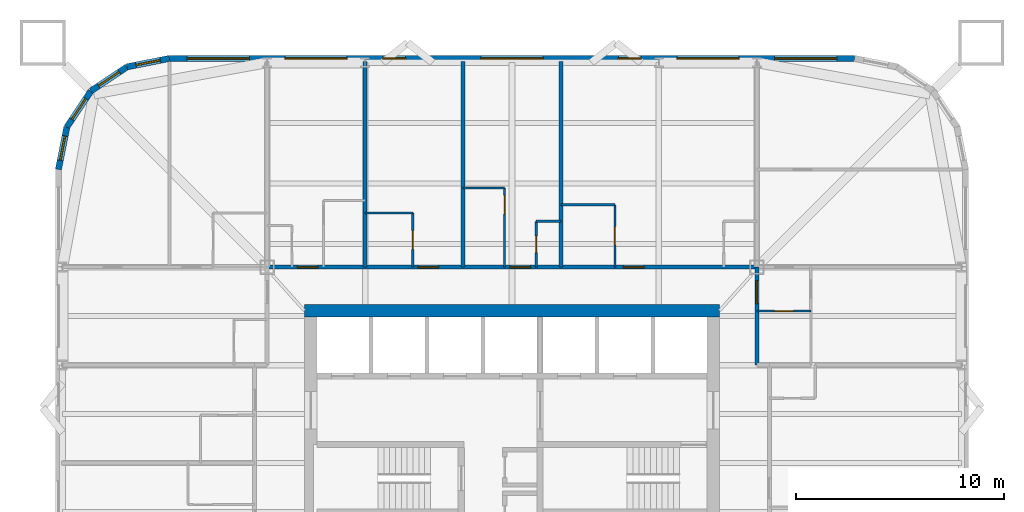
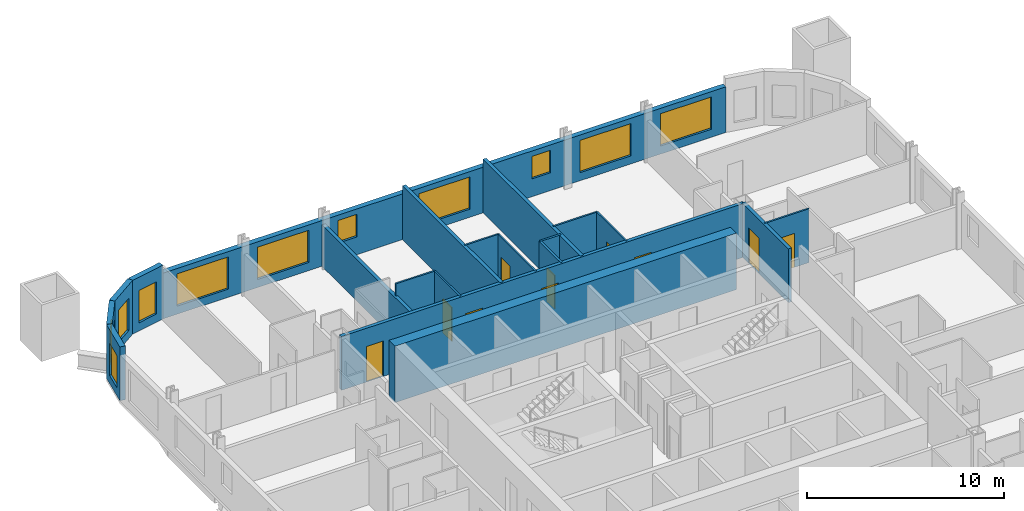
# One storey, part 7 of 9: 20 walls, 11 windows, 10 doors, 21 openings.
"""IFC4 building model written with IfcOpenShell, lengths in metres."""

from ifc_helpers import new_model, si_unit, direction, frame, frame_2d, origin, place, context, subcontext, project, spatial, rectangle, extrude, material, layer, layer_set, type_object, element, fill, save


model = new_model("IFC4")

# Units and contexts
model_context = context("Model", 3, precision=1e-05, world=origin(), true_north=direction((0.0, 1.0)))
body_context = subcontext(model_context, "Body", "Model", "MODEL_VIEW")
ifc_project = project(units=[si_unit("LENGTHUNIT", "METRE"), si_unit("AREAUNIT", "SQUARE_METRE"), si_unit("VOLUMEUNIT", "CUBIC_METRE"), si_unit("PLANEANGLEUNIT", "RADIAN"), si_unit("MASSUNIT", "GRAM", prefix="KILO")], contexts=[model_context])

# Site, building, storey
site_placement = place(None, origin())
site = spatial("IfcSite", under=ifc_project, at=site_placement, CompositionType="ELEMENT")
building_placement = place(site_placement, origin())
building = spatial("IfcBuilding", under=site, at=building_placement, Name="Turquesa Mirador Hotel Tower", CompositionType="ELEMENT")
storey_placement = place(building_placement, frame((0.0, 0.0, 49.5)))
storey = spatial("IfcBuildingStorey", under=building, at=storey_placement, Name="L12", CompositionType="ELEMENT", Elevation=49.5)

# Walls
ifc_material_1 = material(Name="Gypsum board on steel studs", Category="steel")
ifc_layer_1 = layer(ifc_material_1, 0.10009765625)
ifc_layer_set_1 = layer_set([ifc_layer_1], Name="BATHROOM WALL 100")
wall_type_1 = type_object("IfcWallType", Name="BATHROOM WALL 100", PredefinedType="PARTITIONING", material=ifc_layer_set_1)
wall_1_placement = place(storey_placement, frame((47.919921875, 59.39990234375, 0.0), z_axis=(0.0, 0.0, 1.0), x_axis=(1.0, 0.0, 0.0)))
element("IfcWall", 1, at=wall_1_placement, inside=storey, type_object=wall_type_1, Name="Partition L12 033", PredefinedType="PARTITIONING", context=body_context, shape_type="SweptSolid", body=[
    extrude(rectangle(XDim=2.300048828125, YDim=0.10009765625, at=frame_2d((1.14990234375, 0.0))), origin(), (0.0, 0.0, 1.0), 3.330078125),
])
wall_2_placement = place(storey_placement, frame((57.360107421875, 59.800048828125, 0.0), z_axis=(0.0, 0.0, 1.0), x_axis=(1.0, 0.0, 0.0)))
element("IfcWall", 2, at=wall_2_placement, inside=storey, type_object=wall_type_1, Name="Partition L12 034", PredefinedType="PARTITIONING", context=body_context, shape_type="SweptSolid", body=[
    extrude(rectangle(XDim=2.599853515625, YDim=0.10009765625, at=frame_2d((1.2998046875, 0.0))), origin(), (0.0, 0.0, 1.0), 3.330078125),
])
wall_3_placement = place(storey_placement, frame((52.639892578125, 60.60009765625, 0.0), z_axis=(0.0, 0.0, 1.0), x_axis=(1.0, 0.0, 0.0)))
element("IfcWall", 3, at=wall_3_placement, inside=storey, type_object=wall_type_1, Name="Partition L12 036", PredefinedType="PARTITIONING", context=body_context, shape_type="SweptSolid", body=[
    extrude(rectangle(XDim=2.0, YDim=0.10009765625, at=frame_2d((1.0, 0.0))), origin(), (0.0, 0.0, 1.0), 3.330078125),
])

# Wall, opening, door
wall_4_placement = place(storey_placement, frame((66.800048828125, 54.679931640625, 0.0), z_axis=(0.0, 0.0, 1.0), x_axis=(1.0, 0.0, 0.0)))
wall_4 = element("IfcWall", 4, at=wall_4_placement, inside=storey, type_object=wall_type_1, Name="Partition L12 047", PredefinedType="PARTITIONING", context=body_context, shape_type="SweptSolid", body=[
    extrude(rectangle(XDim=2.599853515625, YDim=0.10009765625, at=frame_2d((1.2998046875, 0.0))), origin(), (0.0, 0.0, 1.0), 3.330078125),
])
opening_1_placement = place(wall_4_placement, frame((0.85009765625, 0.0, 0.0)))
opening_1 = element("IfcOpeningElement", 5, at=opening_1_placement, cuts=wall_4, Name="Opening D02", PredefinedType="OPENING", context=body_context, shape_type="SweptSolid", body=[
    extrude(rectangle(XDim=0.89990234375, YDim=2.10009765625, at=frame_2d((0.449951171875, 1.050048828125))), frame((0.0, 0.06005859375, 0.0), z_axis=(0.0, -1.0, 0.0), x_axis=(1.0, 0.0, 0.0)), (0.0, 0.0, 1.0), 0.1201171875),
])
ifc_material_2 = material(Name="Timber veneered door", Category="wood")
door_type_1 = type_object("IfcDoorType", Name="DOOR 900X2100 EN-SUITE", OperationType="SINGLE_SWING_RIGHT", PredefinedType="DOOR", material=ifc_material_2)
door_1_placement = place(opening_1_placement, origin())
door_1 = element("IfcDoor", 6, at=door_1_placement, inside=storey, type_object=door_type_1, Name="Door 1213B", OperationType="SINGLE_SWING_RIGHT", OverallHeight=2.10009765625, OverallWidth=0.89990234375, PredefinedType="DOOR", context=body_context, shape_type="SweptSolid", body=[
    extrude(rectangle(XDim=0.89990234375, YDim=2.10009765625, at=frame_2d((0.449951171875, 1.050048828125))), frame((0.0, 0.02490234375, 0.0), z_axis=(0.0, -1.0, 0.0), x_axis=(1.0, 0.0, 0.0)), (0.0, 0.0, 1.0), 0.050048828125),
])
fill(opening_1, door_1)

wall_5_placement = place(storey_placement, frame((54.639892578125, 56.800048828125, 0.0), z_axis=(0.0, 0.0, 1.0), x_axis=(0.0, 1.0, 0.0)))
wall_5 = element("IfcWall", 7, at=wall_5_placement, inside=storey, type_object=wall_type_1, Name="Partition L12 048", PredefinedType="PARTITIONING", context=body_context, shape_type="SweptSolid", body=[
    extrude(rectangle(XDim=3.800048828125, YDim=0.10009765625, at=frame_2d((1.89990234375, 0.0))), origin(), (0.0, 0.0, 1.0), 3.330078125),
])
opening_2_placement = place(wall_5_placement, frame((2.550048828125, 0.0, 0.0)))
opening_2 = element("IfcOpeningElement", 8, at=opening_2_placement, cuts=wall_5, Name="Opening D02", PredefinedType="OPENING", context=body_context, shape_type="SweptSolid", body=[
    extrude(rectangle(XDim=0.89990234375, YDim=2.10009765625, at=frame_2d((0.449951171875, 1.050048828125))), frame((0.0, 0.06005859375, 0.0), z_axis=(0.0, -1.0, 0.0), x_axis=(1.0, 0.0, 0.0)), (0.0, 0.0, 1.0), 0.1201171875),
])
door_2_placement = place(opening_2_placement, origin())
door_2 = element("IfcDoor", 9, at=door_2_placement, inside=storey, type_object=door_type_1, Name="Door 1203B", OperationType="SINGLE_SWING_RIGHT", OverallHeight=2.10009765625, OverallWidth=0.89990234375, PredefinedType="DOOR", context=body_context, shape_type="SweptSolid", body=[
    extrude(rectangle(XDim=0.89990234375, YDim=2.10009765625, at=frame_2d((0.449951171875, 1.050048828125))), frame((0.0, 0.02490234375, 0.0), z_axis=(0.0, -1.0, 0.0), x_axis=(1.0, 0.0, 0.0)), (0.0, 0.0, 1.0), 0.050048828125),
])
fill(opening_2, door_2)

wall_6_placement = place(storey_placement, frame((50.219970703125, 56.800048828125, 0.0), z_axis=(0.0, 0.0, 1.0), x_axis=(0.0, 1.0, 0.0)))
wall_6 = element("IfcWall", 10, at=wall_6_placement, inside=storey, type_object=wall_type_1, Name="Partition L12 067", PredefinedType="PARTITIONING", context=body_context, shape_type="SweptSolid", body=[
    extrude(rectangle(XDim=2.599853515625, YDim=0.10009765625, at=frame_2d((1.2998046875, 0.0))), origin(), (0.0, 0.0, 1.0), 3.330078125),
])
opening_3_placement = place(wall_6_placement, frame((0.85009765625, 0.0, 0.0)))
opening_3 = element("IfcOpeningElement", 11, at=opening_3_placement, cuts=wall_6, Name="Opening D02", PredefinedType="OPENING", context=body_context, shape_type="SweptSolid", body=[
    extrude(rectangle(XDim=0.89990234375, YDim=2.10009765625, at=frame_2d((0.449951171875, 1.050048828125))), frame((0.0, 0.06005859375, 0.0), z_axis=(0.0, -1.0, 0.0), x_axis=(1.0, 0.0, 0.0)), (0.0, 0.0, 1.0), 0.1201171875),
])
door_3_placement = place(opening_3_placement, origin())
door_3 = element("IfcDoor", 12, at=door_3_placement, inside=storey, type_object=door_type_1, Name="Door 1202B", OperationType="SINGLE_SWING_RIGHT", OverallHeight=2.10009765625, OverallWidth=0.89990234375, PredefinedType="DOOR", context=body_context, shape_type="SweptSolid", body=[
    extrude(rectangle(XDim=0.89990234375, YDim=2.10009765625, at=frame_2d((0.449951171875, 1.050048828125))), frame((0.0, 0.02490234375, 0.0), z_axis=(0.0, -1.0, 0.0), x_axis=(1.0, 0.0, 0.0)), (0.0, 0.0, 1.0), 0.050048828125),
])
fill(opening_3, door_3)

wall_7_placement = place(storey_placement, frame((59.9599609375, 56.800048828125, 0.0), z_axis=(0.0, 0.0, 1.0), x_axis=(0.0, 1.0, 0.0)))
wall_7 = element("IfcWall", 13, at=wall_7_placement, inside=storey, type_object=wall_type_1, Name="Partition L12 089", PredefinedType="PARTITIONING", context=body_context, shape_type="SweptSolid", body=[
    extrude(rectangle(XDim=3.0, YDim=0.10009765625, at=frame_2d((1.5, 0.0))), origin(), (0.0, 0.0, 1.0), 3.330078125),
])
opening_4_placement = place(wall_7_placement, frame((1.050048828125, 0.0, 0.0)))
opening_4 = element("IfcOpeningElement", 14, at=opening_4_placement, cuts=wall_7, Name="Opening D02", PredefinedType="OPENING", context=body_context, shape_type="SweptSolid", body=[
    extrude(rectangle(XDim=0.89990234375, YDim=2.10009765625, at=frame_2d((0.449951171875, 1.050048828125))), frame((0.0, 0.06005859375, 0.0), z_axis=(0.0, -1.0, 0.0), x_axis=(1.0, 0.0, 0.0)), (0.0, 0.0, 1.0), 0.1201171875),
])
door_4_placement = place(opening_4_placement, origin())
door_4 = element("IfcDoor", 15, at=door_4_placement, inside=storey, type_object=door_type_1, Name="Door 1204B", OperationType="SINGLE_SWING_RIGHT", OverallHeight=2.10009765625, OverallWidth=0.89990234375, PredefinedType="DOOR", context=body_context, shape_type="SweptSolid", body=[
    extrude(rectangle(XDim=0.89990234375, YDim=2.10009765625, at=frame_2d((0.449951171875, 1.050048828125))), frame((0.0, 0.02490234375, 0.0), z_axis=(0.0, -1.0, 0.0), x_axis=(1.0, 0.0, 0.0)), (0.0, 0.0, 1.0), 0.050048828125),
])
fill(opening_4, door_4)

# Wall
ifc_material_3 = material(Name="Concrete C50/60", Category="concrete")
ifc_layer_2 = layer(ifc_material_3, 0.60009765625)
ifc_layer_set_2 = layer_set([ifc_layer_2], Name="CORE WALL 600")
wall_type_2 = type_object("IfcWallType", Name="CORE WALL 600", PredefinedType="SHEAR", material=ifc_layer_set_2)
wall_8_placement = place(storey_placement, frame((45.0, 54.699951171875, 0.0), z_axis=(0.0, 0.0, 1.0), x_axis=(1.0, 0.0, 0.0)))
element("IfcWall", 16, at=wall_8_placement, inside=storey, type_object=wall_type_2, Name="Core wall N", PredefinedType="SHEAR", context=body_context, shape_type="SweptSolid", body=[
    extrude(rectangle(XDim=20.0, YDim=0.60009765625, at=frame_2d((10.0, 0.0))), origin(), (0.0, 0.0, 1.0), 3.5),
])

# Wall, openings, doors
ifc_material_4 = material(Name="Fire-rated gypsum board on steel studs", Category="steel")
ifc_layer_3 = layer(ifc_material_4, 0.199951171875)
ifc_layer_set_3 = layer_set([ifc_layer_3], Name="CORRIDOR WALL 200")
wall_type_3 = type_object("IfcWallType", Name="CORRIDOR WALL 200", PredefinedType="PARTITIONING", material=ifc_layer_set_3)
wall_9_placement = place(storey_placement, frame((43.199951171875, 56.800048828125, 0.0), z_axis=(0.0, 0.0, 1.0), x_axis=(1.0, 0.0, 0.0)))
wall_9 = element("IfcWall", 17, at=wall_9_placement, inside=storey, type_object=wall_type_3, Name="Partition L12 026", PredefinedType="PARTITIONING", context=body_context, shape_type="SweptSolid", body=[
    extrude(rectangle(XDim=23.60009765625, YDim=0.199951171875, at=frame_2d((11.800048828125, 0.0))), origin(), (0.0, 0.0, 1.0), 3.330078125),
])
opening_5_placement = place(wall_9_placement, frame((1.4599609375, 0.0, 0.0)))
opening_5 = element("IfcOpeningElement", 18, at=opening_5_placement, cuts=wall_9, Name="Opening D01", PredefinedType="OPENING", context=body_context, shape_type="SweptSolid", body=[
    extrude(rectangle(XDim=1.0, YDim=2.199951171875, at=frame_2d((0.5, 1.10009765625))), frame((0.0, 0.10986328125, 0.0), z_axis=(0.0, -1.0, 0.0), x_axis=(1.0, 0.0, 0.0)), (0.0, 0.0, 1.0), 0.219970703125),
])
opening_6_placement = place(wall_9_placement, frame((7.27001953125, 0.0, 0.0)))
opening_6 = element("IfcOpeningElement", 19, at=opening_6_placement, cuts=wall_9, Name="Opening D01", PredefinedType="OPENING", context=body_context, shape_type="SweptSolid", body=[
    extrude(rectangle(XDim=1.0, YDim=2.199951171875, at=frame_2d((0.5, 1.10009765625))), frame((0.0, 0.10986328125, 0.0), z_axis=(0.0, -1.0, 0.0), x_axis=(1.0, 0.0, 0.0)), (0.0, 0.0, 1.0), 0.219970703125),
])
opening_7_placement = place(wall_9_placement, frame((11.699951171875, 0.0, 0.0)))
opening_7 = element("IfcOpeningElement", 20, at=opening_7_placement, cuts=wall_9, Name="Opening D01", PredefinedType="OPENING", context=body_context, shape_type="SweptSolid", body=[
    extrude(rectangle(XDim=1.0, YDim=2.199951171875, at=frame_2d((0.5, 1.10009765625))), frame((0.0, 0.10986328125, 0.0), z_axis=(0.0, -1.0, 0.0), x_axis=(1.0, 0.0, 0.0)), (0.0, 0.0, 1.0), 0.219970703125),
])
opening_8_placement = place(wall_9_placement, frame((17.159912109375, 0.0, 0.0)))
opening_8 = element("IfcOpeningElement", 21, at=opening_8_placement, cuts=wall_9, Name="Opening D01", PredefinedType="OPENING", context=body_context, shape_type="SweptSolid", body=[
    extrude(rectangle(XDim=1.0, YDim=2.199951171875, at=frame_2d((0.5, 1.10009765625))), frame((0.0, 0.10986328125, 0.0), z_axis=(0.0, -1.0, 0.0), x_axis=(1.0, 0.0, 0.0)), (0.0, 0.0, 1.0), 0.219970703125),
])
ifc_material_5 = material(Name="Timber veneered fire door", Category="wood")
door_type_2 = type_object("IfcDoorType", Name="DOOR 1000X2200 GUEST ENTRY", OperationType="SINGLE_SWING_LEFT", PredefinedType="DOOR", material=ifc_material_5)
door_5_placement = place(opening_5_placement, origin())
door_5 = element("IfcDoor", 22, at=door_5_placement, inside=storey, type_object=door_type_2, Name="Door 1201", OperationType="SINGLE_SWING_LEFT", OverallHeight=2.199951171875, OverallWidth=1.0, PredefinedType="DOOR", context=body_context, shape_type="SweptSolid", body=[
    extrude(rectangle(XDim=1.0, YDim=2.199951171875, at=frame_2d((0.5, 1.10009765625))), frame((0.0, 0.02490234375, 0.0), z_axis=(0.0, -1.0, 0.0), x_axis=(1.0, 0.0, 0.0)), (0.0, 0.0, 1.0), 0.050048828125),
])
fill(opening_5, door_5)
door_6_placement = place(opening_6_placement, origin())
door_6 = element("IfcDoor", 23, at=door_6_placement, inside=storey, type_object=door_type_2, Name="Door 1202", OperationType="SINGLE_SWING_LEFT", OverallHeight=2.199951171875, OverallWidth=1.0, PredefinedType="DOOR", context=body_context, shape_type="SweptSolid", body=[
    extrude(rectangle(XDim=1.0, YDim=2.199951171875, at=frame_2d((0.5, 1.10009765625))), frame((0.0, 0.02490234375, 0.0), z_axis=(0.0, -1.0, 0.0), x_axis=(1.0, 0.0, 0.0)), (0.0, 0.0, 1.0), 0.050048828125),
])
fill(opening_6, door_6)
door_7_placement = place(opening_7_placement, origin())
door_7 = element("IfcDoor", 24, at=door_7_placement, inside=storey, type_object=door_type_2, Name="Door 1203", OperationType="SINGLE_SWING_LEFT", OverallHeight=2.199951171875, OverallWidth=1.0, PredefinedType="DOOR", context=body_context, shape_type="SweptSolid", body=[
    extrude(rectangle(XDim=1.0, YDim=2.199951171875, at=frame_2d((0.5, 1.10009765625))), frame((0.0, 0.02490234375, 0.0), z_axis=(0.0, -1.0, 0.0), x_axis=(1.0, 0.0, 0.0)), (0.0, 0.0, 1.0), 0.050048828125),
])
fill(opening_7, door_7)
door_8_placement = place(opening_8_placement, origin())
door_8 = element("IfcDoor", 25, at=door_8_placement, inside=storey, type_object=door_type_2, Name="Door 1204", OperationType="SINGLE_SWING_LEFT", OverallHeight=2.199951171875, OverallWidth=1.0, PredefinedType="DOOR", context=body_context, shape_type="SweptSolid", body=[
    extrude(rectangle(XDim=1.0, YDim=2.199951171875, at=frame_2d((0.5, 1.10009765625))), frame((0.0, 0.02490234375, 0.0), z_axis=(0.0, -1.0, 0.0), x_axis=(1.0, 0.0, 0.0)), (0.0, 0.0, 1.0), 0.050048828125),
])
fill(opening_8, door_8)

# Wall, opening, door
wall_10_placement = place(storey_placement, frame((66.800048828125, 52.080078125, 0.0), z_axis=(0.0, 0.0, 1.0), x_axis=(0.0, 1.0, 0.0)))
wall_10 = element("IfcWall", 26, at=wall_10_placement, inside=storey, type_object=wall_type_3, Name="Partition L12 075", PredefinedType="PARTITIONING", context=body_context, shape_type="SweptSolid", body=[
    extrude(rectangle(XDim=4.719970703125, YDim=0.199951171875, at=frame_2d((2.35986328125, 0.0))), origin(), (0.0, 0.0, 1.0), 3.330078125),
])
opening_9_placement = place(wall_10_placement, frame((2.9599609375, 0.0, 0.0)))
opening_9 = element("IfcOpeningElement", 27, at=opening_9_placement, cuts=wall_10, Name="Opening D15", PredefinedType="OPENING", context=body_context, shape_type="SweptSolid", body=[
    extrude(rectangle(XDim=1.10009765625, YDim=2.199951171875, at=frame_2d((0.550048828125, 1.10009765625))), frame((0.0, 0.10986328125, 0.0), z_axis=(0.0, -1.0, 0.0), x_axis=(1.0, 0.0, 0.0)), (0.0, 0.0, 1.0), 0.219970703125),
])
ifc_material_6 = material(Name="Timber veneered fire door", Category="wood")
door_type_3 = type_object("IfcDoorType", Name="DOOR 1100X2200 SUITE ENTRY", OperationType="SINGLE_SWING_LEFT", PredefinedType="DOOR", material=ifc_material_6)
door_9_placement = place(opening_9_placement, origin())
door_9 = element("IfcDoor", 28, at=door_9_placement, inside=storey, type_object=door_type_3, Name="Door 1213H", OperationType="SINGLE_SWING_LEFT", OverallHeight=2.199951171875, OverallWidth=1.10009765625, PredefinedType="DOOR", context=body_context, shape_type="SweptSolid", body=[
    extrude(rectangle(XDim=1.10009765625, YDim=2.199951171875, at=frame_2d((0.550048828125, 1.10009765625))), frame((0.0, 0.02490234375, 0.0), z_axis=(0.0, -1.0, 0.0), x_axis=(1.0, 0.0, 0.0)), (0.0, 0.0, 1.0), 0.050048828125),
])
fill(opening_9, door_9)

# Wall, openings, windows
ifc_material_7 = material(Name="Limestone cladding on concrete block", Category="masonry")
ifc_layer_4 = layer(ifc_material_7, 0.300048828125)
ifc_layer_set_4 = layer_set([ifc_layer_4], Name="FACADE WALL 300 STONE SCREEN")
wall_type_4 = type_object("IfcWallType", Name="FACADE WALL 300 STONE SCREEN", PredefinedType="SOLIDWALL", material=ifc_layer_set_4)
wall_11_placement = place(storey_placement, frame((71.5, 66.85009765625, 0.0), z_axis=(0.0, 0.0, 1.0), x_axis=(-1.0, 0.0, 0.0)))
wall_11 = element("IfcWall", 29, at=wall_11_placement, inside=storey, type_object=wall_type_4, Name="Facade wall L12 09", PredefinedType="SOLIDWALL", context=body_context, shape_type="SweptSolid", body=[
    extrude(rectangle(XDim=33.0, YDim=0.300048828125, at=frame_2d((16.5, 0.0))), origin(), (0.0, 0.0, 1.0), 2.830078125),
])
opening_10_placement = place(wall_11_placement, frame((0.85009765625, 0.0, 0.5)))
opening_10 = element("IfcOpeningElement", 30, at=opening_10_placement, cuts=wall_11, Name="Opening WN1", PredefinedType="OPENING", context=body_context, shape_type="SweptSolid", body=[
    extrude(rectangle(XDim=3.0, YDim=2.0, at=frame_2d((1.5, 1.0))), frame((0.0, 0.159912109375, 0.0), z_axis=(0.0, -1.0, 0.0), x_axis=(1.0, 0.0, 0.0)), (0.0, 0.0, 1.0), 0.320068359375),
])
opening_11_placement = place(wall_11_placement, frame((5.56005859375, 0.0, 0.5)))
opening_11 = element("IfcOpeningElement", 31, at=opening_11_placement, cuts=wall_11, Name="Opening WN1", PredefinedType="OPENING", context=body_context, shape_type="SweptSolid", body=[
    extrude(rectangle(XDim=3.0, YDim=2.0, at=frame_2d((1.5, 1.0))), frame((0.0, 0.159912109375, 0.0), z_axis=(0.0, -1.0, 0.0), x_axis=(1.0, 0.0, 0.0)), (0.0, 0.0, 1.0), 0.320068359375),
])
opening_12_placement = place(wall_11_placement, frame((10.280029296875, 0.0, 1.10009765625)))
opening_12 = element("IfcOpeningElement", 32, at=opening_12_placement, cuts=wall_11, Name="Opening WN37", PredefinedType="OPENING", context=body_context, shape_type="SweptSolid", body=[
    extrude(rectangle(XDim=1.10009765625, YDim=1.39990234375, at=frame_2d((0.550048828125, 0.699951171875))), frame((0.0, 0.159912109375, 0.0), z_axis=(0.0, -1.0, 0.0), x_axis=(1.0, 0.0, 0.0)), (0.0, 0.0, 1.0), 0.320068359375),
])
opening_13_placement = place(wall_11_placement, frame((15.0, 0.0, 0.5)))
opening_13 = element("IfcOpeningElement", 33, at=opening_13_placement, cuts=wall_11, Name="Opening WN1", PredefinedType="OPENING", context=body_context, shape_type="SweptSolid", body=[
    extrude(rectangle(XDim=3.0, YDim=2.0, at=frame_2d((1.5, 1.0))), frame((0.0, 0.159912109375, 0.0), z_axis=(0.0, -1.0, 0.0), x_axis=(1.0, 0.0, 0.0)), (0.0, 0.0, 1.0), 0.320068359375),
])
opening_14_placement = place(wall_11_placement, frame((21.6201171875, 0.0, 1.10009765625)))
opening_14 = element("IfcOpeningElement", 34, at=opening_14_placement, cuts=wall_11, Name="Opening WN37", PredefinedType="OPENING", context=body_context, shape_type="SweptSolid", body=[
    extrude(rectangle(XDim=1.10009765625, YDim=1.39990234375, at=frame_2d((0.550048828125, 0.699951171875))), frame((0.0, 0.159912109375, 0.0), z_axis=(0.0, -1.0, 0.0), x_axis=(1.0, 0.0, 0.0)), (0.0, 0.0, 1.0), 0.320068359375),
])
opening_15_placement = place(wall_11_placement, frame((24.43994140625, 0.0, 0.5)))
opening_15 = element("IfcOpeningElement", 35, at=opening_15_placement, cuts=wall_11, Name="Opening WN1", PredefinedType="OPENING", context=body_context, shape_type="SweptSolid", body=[
    extrude(rectangle(XDim=3.0, YDim=2.0, at=frame_2d((1.5, 1.0))), frame((0.0, 0.159912109375, 0.0), z_axis=(0.0, -1.0, 0.0), x_axis=(1.0, 0.0, 0.0)), (0.0, 0.0, 1.0), 0.320068359375),
])
opening_16_placement = place(wall_11_placement, frame((29.14990234375, 0.0, 0.5)))
opening_16 = element("IfcOpeningElement", 36, at=opening_16_placement, cuts=wall_11, Name="Opening WN1", PredefinedType="OPENING", context=body_context, shape_type="SweptSolid", body=[
    extrude(rectangle(XDim=3.0, YDim=2.0, at=frame_2d((1.5, 1.0))), frame((0.0, 0.159912109375, 0.0), z_axis=(0.0, -1.0, 0.0), x_axis=(1.0, 0.0, 0.0)), (0.0, 0.0, 1.0), 0.320068359375),
])
ifc_material_8 = material(Name="Ceramic-fritted laminated glass", Category="glass")
window_type_1 = type_object("IfcWindowType", Name="FRITTED WINDOW 1100X1400", PartitioningType="DOUBLE_PANEL_HORIZONTAL", PredefinedType="WINDOW", material=ifc_material_8)
window_1_placement = place(opening_12_placement, origin())
window_1 = element("IfcWindow", 37, at=window_1_placement, inside=storey, type_object=window_type_1, Name="Window L12", OverallHeight=1.39990234375, OverallWidth=1.10009765625, PartitioningType="SINGLE_PANEL", PredefinedType="WINDOW", context=body_context, shape_type="SweptSolid", body=[
    extrude(rectangle(XDim=1.10009765625, YDim=1.39990234375, at=frame_2d((0.550048828125, 0.699951171875))), frame((0.0, 0.030029296875, 0.0), z_axis=(0.0, -1.0, 0.0), x_axis=(1.0, 0.0, 0.0)), (0.0, 0.0, 1.0), 0.06005859375),
])
fill(opening_12, window_1)
window_2_placement = place(opening_14_placement, origin())
window_2 = element("IfcWindow", 38, at=window_2_placement, inside=storey, type_object=window_type_1, Name="Window L12", OverallHeight=1.39990234375, OverallWidth=1.10009765625, PartitioningType="SINGLE_PANEL", PredefinedType="WINDOW", context=body_context, shape_type="SweptSolid", body=[
    extrude(rectangle(XDim=1.10009765625, YDim=1.39990234375, at=frame_2d((0.550048828125, 0.699951171875))), frame((0.0, 0.030029296875, 0.0), z_axis=(0.0, -1.0, 0.0), x_axis=(1.0, 0.0, 0.0)), (0.0, 0.0, 1.0), 0.06005859375),
])
fill(opening_14, window_2)
ifc_material_9 = material(Name="Ceramic-fritted laminated glass", Category="glass")
window_type_2 = type_object("IfcWindowType", Name="FRITTED WINDOW 3000X2000", PartitioningType="DOUBLE_PANEL_HORIZONTAL", PredefinedType="WINDOW", material=ifc_material_9)
window_3_placement = place(opening_10_placement, origin())
window_3 = element("IfcWindow", 39, at=window_3_placement, inside=storey, type_object=window_type_2, Name="Window L12", OverallHeight=2.0, OverallWidth=3.0, PartitioningType="SINGLE_PANEL", PredefinedType="WINDOW", context=body_context, shape_type="SweptSolid", body=[
    extrude(rectangle(XDim=3.0, YDim=2.0, at=frame_2d((1.5, 1.0))), frame((0.0, 0.030029296875, 0.0), z_axis=(0.0, -1.0, 0.0), x_axis=(1.0, 0.0, 0.0)), (0.0, 0.0, 1.0), 0.06005859375),
])
fill(opening_10, window_3)
window_4_placement = place(opening_11_placement, origin())
window_4 = element("IfcWindow", 40, at=window_4_placement, inside=storey, type_object=window_type_2, Name="Window L12", OverallHeight=2.0, OverallWidth=3.0, PartitioningType="SINGLE_PANEL", PredefinedType="WINDOW", context=body_context, shape_type="SweptSolid", body=[
    extrude(rectangle(XDim=3.0, YDim=2.0, at=frame_2d((1.5, 1.0))), frame((0.0, 0.030029296875, 0.0), z_axis=(0.0, -1.0, 0.0), x_axis=(1.0, 0.0, 0.0)), (0.0, 0.0, 1.0), 0.06005859375),
])
fill(opening_11, window_4)
window_5_placement = place(opening_13_placement, origin())
window_5 = element("IfcWindow", 41, at=window_5_placement, inside=storey, type_object=window_type_2, Name="Window L12", OverallHeight=2.0, OverallWidth=3.0, PartitioningType="SINGLE_PANEL", PredefinedType="WINDOW", context=body_context, shape_type="SweptSolid", body=[
    extrude(rectangle(XDim=3.0, YDim=2.0, at=frame_2d((1.5, 1.0))), frame((0.0, 0.030029296875, 0.0), z_axis=(0.0, -1.0, 0.0), x_axis=(1.0, 0.0, 0.0)), (0.0, 0.0, 1.0), 0.06005859375),
])
fill(opening_13, window_5)
window_6_placement = place(opening_15_placement, origin())
window_6 = element("IfcWindow", 42, at=window_6_placement, inside=storey, type_object=window_type_2, Name="Window L12", OverallHeight=2.0, OverallWidth=3.0, PartitioningType="SINGLE_PANEL", PredefinedType="WINDOW", context=body_context, shape_type="SweptSolid", body=[
    extrude(rectangle(XDim=3.0, YDim=2.0, at=frame_2d((1.5, 1.0))), frame((0.0, 0.030029296875, 0.0), z_axis=(0.0, -1.0, 0.0), x_axis=(1.0, 0.0, 0.0)), (0.0, 0.0, 1.0), 0.06005859375),
])
fill(opening_15, window_6)
window_7_placement = place(opening_16_placement, origin())
window_7 = element("IfcWindow", 43, at=window_7_placement, inside=storey, type_object=window_type_2, Name="Window L12", OverallHeight=2.0, OverallWidth=3.0, PartitioningType="SINGLE_PANEL", PredefinedType="WINDOW", context=body_context, shape_type="SweptSolid", body=[
    extrude(rectangle(XDim=3.0, YDim=2.0, at=frame_2d((1.5, 1.0))), frame((0.0, 0.030029296875, 0.0), z_axis=(0.0, -1.0, 0.0), x_axis=(1.0, 0.0, 0.0)), (0.0, 0.0, 1.0), 0.06005859375),
])
fill(opening_16, window_7)

# Wall, opening, window
wall_12_placement = place(storey_placement, frame((38.5, 66.85009765625, 0.0), z_axis=(0.0, 0.0, 1.0), x_axis=(-0.980787050784, -0.195081421501, 0.0)))
wall_12 = element("IfcWall", 44, at=wall_12_placement, inside=storey, type_object=wall_type_4, Name="Facade wall L12 10", PredefinedType="SOLIDWALL", context=body_context, shape_type="SweptSolid", body=[
    extrude(rectangle(XDim=2.08740234375, YDim=0.300048828125, at=frame_2d((1.043701171875, 0.0))), origin(), (0.0, 0.0, 1.0), 3.330078125),
])
opening_17_placement = place(wall_12_placement, frame((0.443603515625, 0.0, 0.5)))
opening_17 = element("IfcOpeningElement", 45, at=opening_17_placement, cuts=wall_12, Name="Opening WN4", PredefinedType="OPENING", context=body_context, shape_type="SweptSolid", body=[
    extrude(rectangle(XDim=1.199951171875, YDim=2.0, at=frame_2d((0.60009765625, 1.0))), frame((0.0, 0.159912109375, 0.0), z_axis=(0.0, -1.0, 0.0), x_axis=(1.0, 0.0, 0.0)), (0.0, 0.0, 1.0), 0.320068359375),
])
ifc_material_10 = material(Name="Ceramic-fritted laminated glass", Category="glass")
window_type_3 = type_object("IfcWindowType", Name="FRITTED CORNER WINDOW 1200X2000", PartitioningType="DOUBLE_PANEL_HORIZONTAL", PredefinedType="WINDOW", material=ifc_material_10)
window_8_placement = place(opening_17_placement, origin())
window_8 = element("IfcWindow", 46, at=window_8_placement, inside=storey, type_object=window_type_3, Name="Window L12", OverallHeight=2.0, OverallWidth=1.199951171875, PartitioningType="SINGLE_PANEL", PredefinedType="WINDOW", context=body_context, shape_type="SweptSolid", body=[
    extrude(rectangle(XDim=1.199951171875, YDim=2.0, at=frame_2d((0.60009765625, 1.0))), frame((0.0, 0.030029296875, 0.0), z_axis=(0.0, -1.0, 0.0), x_axis=(1.0, 0.0, 0.0)), (0.0, 0.0, 1.0), 0.06005859375),
])
fill(opening_17, window_8)

wall_13_placement = place(storey_placement, frame((36.45263671875, 66.44287109375, 0.0), z_axis=(0.0, 0.0, 1.0), x_axis=(-0.831420010345, -0.555644460423, 0.0)))
wall_13 = element("IfcWall", 47, at=wall_13_placement, inside=storey, type_object=wall_type_4, Name="Facade wall L12 11", PredefinedType="SOLIDWALL", context=body_context, shape_type="SweptSolid", body=[
    extrude(rectangle(XDim=2.08740234375, YDim=0.300048828125, at=frame_2d((1.043701171875, 0.0))), origin(), (0.0, 0.0, 1.0), 3.330078125),
])
opening_18_placement = place(wall_13_placement, frame((0.443603515625, 0.0, 0.5)))
opening_18 = element("IfcOpeningElement", 48, at=opening_18_placement, cuts=wall_13, Name="Opening WN4", PredefinedType="OPENING", context=body_context, shape_type="SweptSolid", body=[
    extrude(rectangle(XDim=1.199951171875, YDim=2.0, at=frame_2d((0.60009765625, 1.0))), frame((0.0, 0.159912109375, 0.0), z_axis=(0.0, -1.0, 0.0), x_axis=(1.0, 0.0, 0.0)), (0.0, 0.0, 1.0), 0.320068359375),
])
window_9_placement = place(opening_18_placement, origin())
window_9 = element("IfcWindow", 49, at=window_9_placement, inside=storey, type_object=window_type_3, Name="Window L12", OverallHeight=2.0, OverallWidth=1.199951171875, PartitioningType="SINGLE_PANEL", PredefinedType="WINDOW", context=body_context, shape_type="SweptSolid", body=[
    extrude(rectangle(XDim=1.199951171875, YDim=2.0, at=frame_2d((0.60009765625, 1.0))), frame((0.0, 0.030029296875, 0.0), z_axis=(0.0, -1.0, 0.0), x_axis=(1.0, 0.0, 0.0)), (0.0, 0.0, 1.0), 0.06005859375),
])
fill(opening_18, window_9)

wall_14_placement = place(storey_placement, frame((34.717041015625, 65.282958984375, 0.0), z_axis=(0.0, 0.0, 1.0), x_axis=(-0.555644460423, -0.831420010345, 0.0)))
wall_14 = element("IfcWall", 50, at=wall_14_placement, inside=storey, type_object=wall_type_4, Name="Facade wall L12 12", PredefinedType="SOLIDWALL", context=body_context, shape_type="SweptSolid", body=[
    extrude(rectangle(XDim=2.08740234375, YDim=0.300048828125, at=frame_2d((1.043701171875, 0.0))), origin(), (0.0, 0.0, 1.0), 3.330078125),
])
opening_19_placement = place(wall_14_placement, frame((0.443603515625, 0.0, 0.5)))
opening_19 = element("IfcOpeningElement", 51, at=opening_19_placement, cuts=wall_14, Name="Opening WN4", PredefinedType="OPENING", context=body_context, shape_type="SweptSolid", body=[
    extrude(rectangle(XDim=1.199951171875, YDim=2.0, at=frame_2d((0.60009765625, 1.0))), frame((0.0, 0.159912109375, 0.0), z_axis=(0.0, -1.0, 0.0), x_axis=(1.0, 0.0, 0.0)), (0.0, 0.0, 1.0), 0.320068359375),
])
window_10_placement = place(opening_19_placement, origin())
window_10 = element("IfcWindow", 52, at=window_10_placement, inside=storey, type_object=window_type_3, Name="Window L12", OverallHeight=2.0, OverallWidth=1.199951171875, PartitioningType="SINGLE_PANEL", PredefinedType="WINDOW", context=body_context, shape_type="SweptSolid", body=[
    extrude(rectangle(XDim=1.199951171875, YDim=2.0, at=frame_2d((0.60009765625, 1.0))), frame((0.0, 0.030029296875, 0.0), z_axis=(0.0, -1.0, 0.0), x_axis=(1.0, 0.0, 0.0)), (0.0, 0.0, 1.0), 0.06005859375),
])
fill(opening_19, window_10)

wall_15_placement = place(storey_placement, frame((33.55712890625, 63.54736328125, 0.0), z_axis=(0.0, 0.0, 1.0), x_axis=(-0.195081421501, -0.980787050784, 0.0)))
wall_15 = element("IfcWall", 53, at=wall_15_placement, inside=storey, type_object=wall_type_4, Name="Facade wall L12 13", PredefinedType="SOLIDWALL", context=body_context, shape_type="SweptSolid", body=[
    extrude(rectangle(XDim=2.08740234375, YDim=0.300048828125, at=frame_2d((1.043701171875, 0.0))), origin(), (0.0, 0.0, 1.0), 3.330078125),
])
opening_20_placement = place(wall_15_placement, frame((0.443603515625, 0.0, 0.5)))
opening_20 = element("IfcOpeningElement", 54, at=opening_20_placement, cuts=wall_15, Name="Opening WN4", PredefinedType="OPENING", context=body_context, shape_type="SweptSolid", body=[
    extrude(rectangle(XDim=1.199951171875, YDim=2.0, at=frame_2d((0.60009765625, 1.0))), frame((0.0, 0.159912109375, 0.0), z_axis=(0.0, -1.0, 0.0), x_axis=(1.0, 0.0, 0.0)), (0.0, 0.0, 1.0), 0.320068359375),
])
window_11_placement = place(opening_20_placement, origin())
window_11 = element("IfcWindow", 55, at=window_11_placement, inside=storey, type_object=window_type_3, Name="Window L12", OverallHeight=2.0, OverallWidth=1.199951171875, PartitioningType="SINGLE_PANEL", PredefinedType="WINDOW", context=body_context, shape_type="SweptSolid", body=[
    extrude(rectangle(XDim=1.199951171875, YDim=2.0, at=frame_2d((0.60009765625, 1.0))), frame((0.0, 0.030029296875, 0.0), z_axis=(0.0, -1.0, 0.0), x_axis=(1.0, 0.0, 0.0)), (0.0, 0.0, 1.0), 0.06005859375),
])
fill(opening_20, window_11)

# Walls
ifc_material_11 = material(Name="Fire-rated gypsum board on steel studs", Category="steel")
ifc_layer_5 = layer(ifc_material_11, 0.199951171875)
ifc_layer_set_5 = layer_set([ifc_layer_5], Name="PARTY WALL 200")
wall_type_5 = type_object("IfcWallType", Name="PARTY WALL 200", PredefinedType="PARTITIONING", material=ifc_layer_set_5)
wall_16_placement = place(storey_placement, frame((52.639892578125, 56.800048828125, 0.0), z_axis=(0.0, 0.0, 1.0), x_axis=(0.0, 1.0, 0.0)))
element("IfcWall", 56, at=wall_16_placement, inside=storey, type_object=wall_type_5, Name="Partition L12 065", PredefinedType="PARTITIONING", context=body_context, shape_type="SweptSolid", body=[
    extrude(rectangle(XDim=9.89990234375, YDim=0.199951171875, at=frame_2d((4.949951171875, 0.0))), origin(), (0.0, 0.0, 1.0), 3.330078125),
])
wall_17_placement = place(storey_placement, frame((47.919921875, 56.800048828125, 0.0), z_axis=(0.0, 0.0, 1.0), x_axis=(0.0, 1.0, 0.0)))
element("IfcWall", 57, at=wall_17_placement, inside=storey, type_object=wall_type_5, Name="Partition L12 068", PredefinedType="PARTITIONING", context=body_context, shape_type="SweptSolid", body=[
    extrude(rectangle(XDim=9.89990234375, YDim=0.199951171875, at=frame_2d((4.949951171875, 0.0))), origin(), (0.0, 0.0, 1.0), 2.572998046875),
])
wall_18_placement = place(storey_placement, frame((57.360107421875, 56.800048828125, 0.0), z_axis=(0.0, 0.0, 1.0), x_axis=(0.0, 1.0, 0.0)))
element("IfcWall", 58, at=wall_18_placement, inside=storey, type_object=wall_type_5, Name="Partition L12 088", PredefinedType="PARTITIONING", context=body_context, shape_type="SweptSolid", body=[
    extrude(rectangle(XDim=9.89990234375, YDim=0.199951171875, at=frame_2d((4.949951171875, 0.0))), origin(), (0.0, 0.0, 1.0), 3.330078125),
])
ifc_material_12 = material(Name="Acoustic gypsum board on steel studs", Category="steel")
ifc_layer_6 = layer(ifc_material_12, 0.125)
ifc_layer_set_6 = layer_set([ifc_layer_6], Name="SUITE PARTITION 125")
wall_type_6 = type_object("IfcWallType", Name="SUITE PARTITION 125", PredefinedType="PARTITIONING", material=ifc_layer_set_6)
wall_19_placement = place(storey_placement, frame((56.159912109375, 59.0, 0.0), z_axis=(0.0, 0.0, 1.0), x_axis=(1.0, 0.0, 0.0)))
element("IfcWall", 59, at=wall_19_placement, inside=storey, type_object=wall_type_6, Name="Partition L12 030", PredefinedType="PARTITIONING", context=body_context, shape_type="SweptSolid", body=[
    extrude(rectangle(XDim=1.2001953125, YDim=0.125, at=frame_2d((0.60009765625, 0.0))), origin(), (0.0, 0.0, 1.0), 3.330078125),
])

# Wall, opening, door
wall_20_placement = place(storey_placement, frame((56.159912109375, 56.800048828125, 0.0), z_axis=(0.0, 0.0, 1.0), x_axis=(0.0, 1.0, 0.0)))
wall_20 = element("IfcWall", 60, at=wall_20_placement, inside=storey, type_object=wall_type_6, Name="Partition L12 072", PredefinedType="PARTITIONING", context=body_context, shape_type="SweptSolid", body=[
    extrude(rectangle(XDim=2.199951171875, YDim=0.125, at=frame_2d((1.10009765625, 0.0))), origin(), (0.0, 0.0, 1.0), 3.330078125),
])
opening_21_placement = place(wall_20_placement, frame((0.699951171875, 0.0, 0.0)))
opening_21 = element("IfcOpeningElement", 61, at=opening_21_placement, cuts=wall_20, Name="Opening D20", PredefinedType="OPENING", context=body_context, shape_type="SweptSolid", body=[
    extrude(rectangle(XDim=0.800048828125, YDim=2.10009765625, at=frame_2d((0.39990234375, 1.050048828125))), frame((0.0, 0.072509765625, 0.0), z_axis=(0.0, -1.0, 0.0), x_axis=(1.0, 0.0, 0.0)), (0.0, 0.0, 1.0), 0.14501953125),
])
ifc_material_13 = material(Name="Timber veneered sliding door", Category="wood")
door_type_4 = type_object("IfcDoorType", Name="DOOR 800X2100 WARDROBE", OperationType="SLIDING_TO_LEFT", PredefinedType="DOOR", material=ifc_material_13)
door_10_placement = place(opening_21_placement, origin())
door_10 = element("IfcDoor", 62, at=door_10_placement, inside=storey, type_object=door_type_4, Name="Door 1203W", OperationType="SLIDING_TO_LEFT", OverallHeight=2.10009765625, OverallWidth=0.800048828125, PredefinedType="DOOR", context=body_context, shape_type="SweptSolid", body=[
    extrude(rectangle(XDim=0.800048828125, YDim=2.10009765625, at=frame_2d((0.39990234375, 1.050048828125))), frame((0.0, 0.02490234375, 0.0), z_axis=(0.0, -1.0, 0.0), x_axis=(1.0, 0.0, 0.0)), (0.0, 0.0, 1.0), 0.050048828125),
])
fill(opening_21, door_10)

save(model, "model.ifc")
